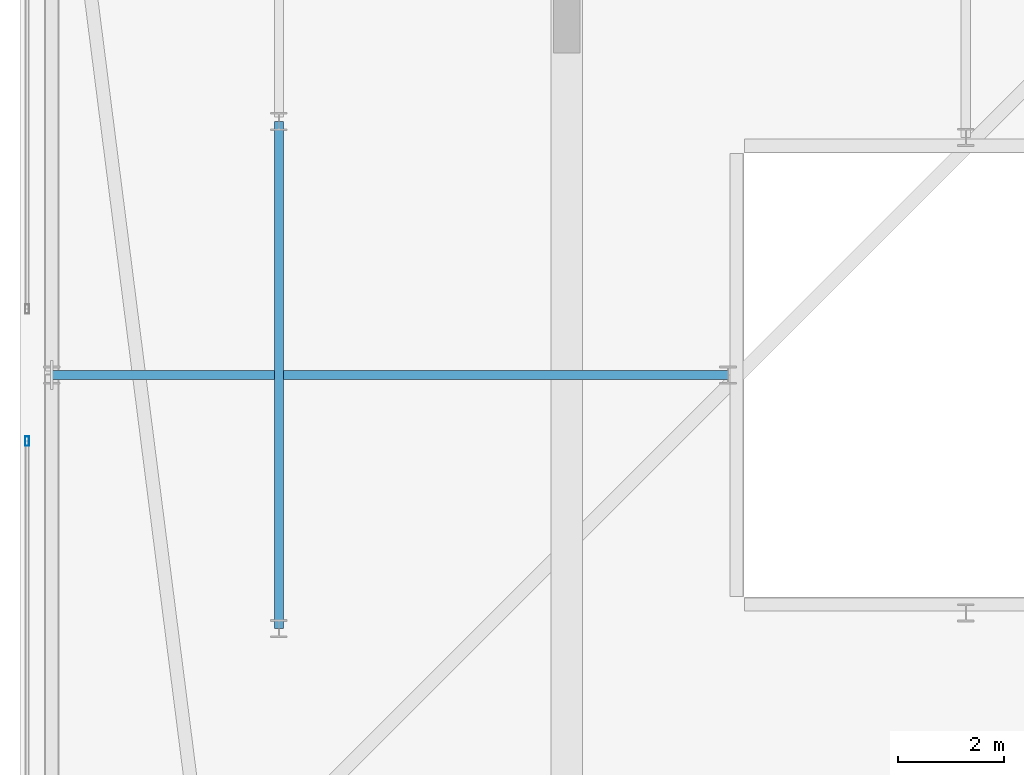
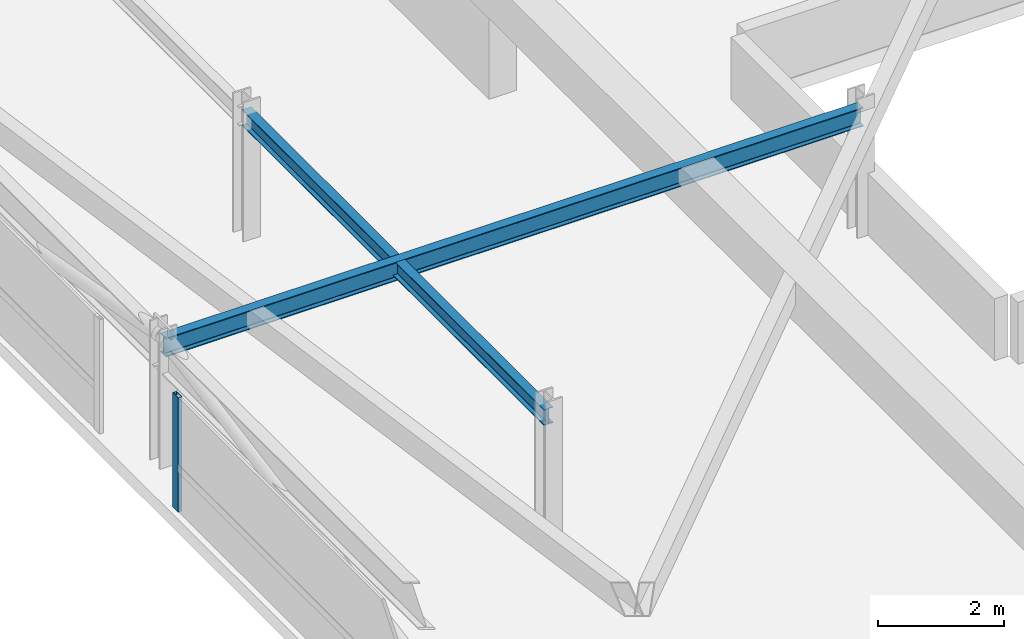
# One storey, part 12 of 42: 2 beams, 1 member, 1 element without a shape of its own.
"""IFC4 building model written with IfcOpenShell, lengths in metres."""

from ifc_helpers import new_model, si_unit, direction, frame, origin, origin_2d, place, context, subcontext, project, spatial, hollow_rectangle, i_section, extrude, material, material_profile, profile_set, type_object, element, aggregate, save


model = new_model("IFC4")

# Units and contexts
model_context = context("Model", 3, precision=1e-05, world=origin(), true_north=direction((0.0, 1.0)))
body_context = subcontext(model_context, "Body", "Model", "MODEL_VIEW")
ifc_project = project(units=[si_unit("LENGTHUNIT", "METRE"), si_unit("AREAUNIT", "SQUARE_METRE"), si_unit("VOLUMEUNIT", "CUBIC_METRE"), si_unit("PLANEANGLEUNIT", "RADIAN"), si_unit("MASSUNIT", "GRAM", prefix="KILO")], contexts=[model_context])

# Site, building, storey
site_placement = place(None, origin())
site = spatial("IfcSite", under=ifc_project, at=site_placement, CompositionType="ELEMENT")
building_placement = place(site_placement, origin())
building = spatial("IfcBuilding", under=site, at=building_placement, Name="Thornwick Lancets Civic Towers", CompositionType="ELEMENT")
storey_placement = place(building_placement, frame((0.0, 0.0, 286.800048828125)))
storey = spatial("IfcBuildingStorey", under=building, at=storey_placement, Name="C03", CompositionType="ELEMENT", Elevation=286.800048828125)

# Beams
ifc_material_1 = material(Name="Steel S355JR", Category="steel")
ifc_material_profile_1 = material_profile(ifc_material_1, i_section(OverallWidth=0.173095703125, OverallDepth=0.36328125, WebThickness=0.009033203125, FlangeThickness=0.015625, FilletRadius=0.01025390625, at=origin_2d()), Name="UKB 356x171x67")
ifc_profile_set_1 = profile_set([ifc_material_profile_1], Name="Steel S355JR")
beam_type_1 = type_object("IfcBeamType", Name="BM_JOIST_356_67", PredefinedType="JOIST", material=ifc_profile_set_1)
beam_1_placement = place(storey_placement, frame((21.0, 27.0, 2.25830078125), z_axis=(-1.0, 0.0, 0.0), x_axis=(0.0, -1.0, 0.0)))
element("IfcBeam", 1, at=beam_1_placement, inside=storey, type_object=beam_type_1, Name="BM-RADIN-C03-A11", PredefinedType="JOIST", context=body_context, shape_type="SweptSolid", body=[
    extrude(i_section(OverallWidth=0.173095703125, OverallDepth=0.36328125, WebThickness=0.009033203125, FlangeThickness=0.015625, FilletRadius=0.01025390625, at=origin_2d()), origin(), (0.0, 0.0, 1.0), 12.800048828125),
])
ifc_material_profile_2 = material_profile(ifc_material_1, i_section(OverallWidth=0.1669921875, OverallDepth=0.310302734375, WebThickness=0.0078125, FlangeThickness=0.013671875, FilletRadius=0.0087890625, at=origin_2d()), Name="UKB 305x165x54")
ifc_profile_set_2 = profile_set([ifc_material_profile_2], Name="Steel S355JR")
beam_type_2 = type_object("IfcBeamType", Name="BM_LINTEL_305_54", PredefinedType="LINTEL", material=ifc_profile_set_2)
beam_2_placement = place(storey_placement, frame((12.5, 22.199951171875, 2.28466796875), z_axis=(0.0, 1.0, 0.0), x_axis=(-1.0, 0.0, 0.0)))
element("IfcBeam", 2, at=beam_2_placement, inside=storey, type_object=beam_type_2, Name="BM-INSP-C03-A-0-2", PredefinedType="LINTEL", context=body_context, shape_type="SweptSolid", body=[
    extrude(i_section(OverallWidth=0.1669921875, OverallDepth=0.310302734375, WebThickness=0.0078125, FlangeThickness=0.013671875, FilletRadius=0.0087890625, at=origin_2d()), origin(), (0.0, 0.0, 1.0), 9.60009765625),
])

# Curtain wall, member
ifc_material_2 = material(Name="Crown ring acoustic-louvre and glazing screen wall", Category="glass")
curtain_wall_type = type_object("IfcCurtainWallType", Name="CW_SYS_07", PredefinedType="NOTDEFINED", material=ifc_material_2)
curtain_wall_placement = place(storey_placement, origin())
curtain_wall = element("IfcCurtainWall", 3, at=curtain_wall_placement, inside=storey, type_object=curtain_wall_type, Name="C03 Curtain Wall CW-C03-A-E6-S2", PredefinedType="NOTDEFINED")
ifc_material_3 = material(Name="Thermally broken bronze aluminium S355", Category="steel")
ifc_material_profile_3 = material_profile(ifc_material_3, hollow_rectangle(XDim=0.074951171875, YDim=0.179931640625, WallThickness=0.006103515625, at=origin_2d()), Name="RHS 180x75x6")
ifc_profile_set_3 = profile_set([ifc_material_profile_3], Name="Thermally broken bronze aluminium S355")
member_type = type_object("IfcMemberType", Name="CW_MUL_180", PredefinedType="MULLION", material=ifc_profile_set_3)
member_placement = place(storey_placement, frame((7.7353515625, 25.75, 0.0), z_axis=(0.0, 0.0, 1.0), x_axis=(1.0, 0.0, 0.0)))
member = element("IfcMember", 4, at=member_placement, type_object=member_type, Name="CW-C03-A-E6-S2 Mullion 0", PredefinedType="MULLION", context=body_context, shape_type="SweptSolid", body=[
    extrude(hollow_rectangle(XDim=0.074951171875, YDim=0.179931640625, WallThickness=0.006103515625, at=origin_2d()), origin(), (0.0, 0.0, 1.0), 2.219970703125),
])
aggregate(curtain_wall, [member])

save(model, "model.ifc")
